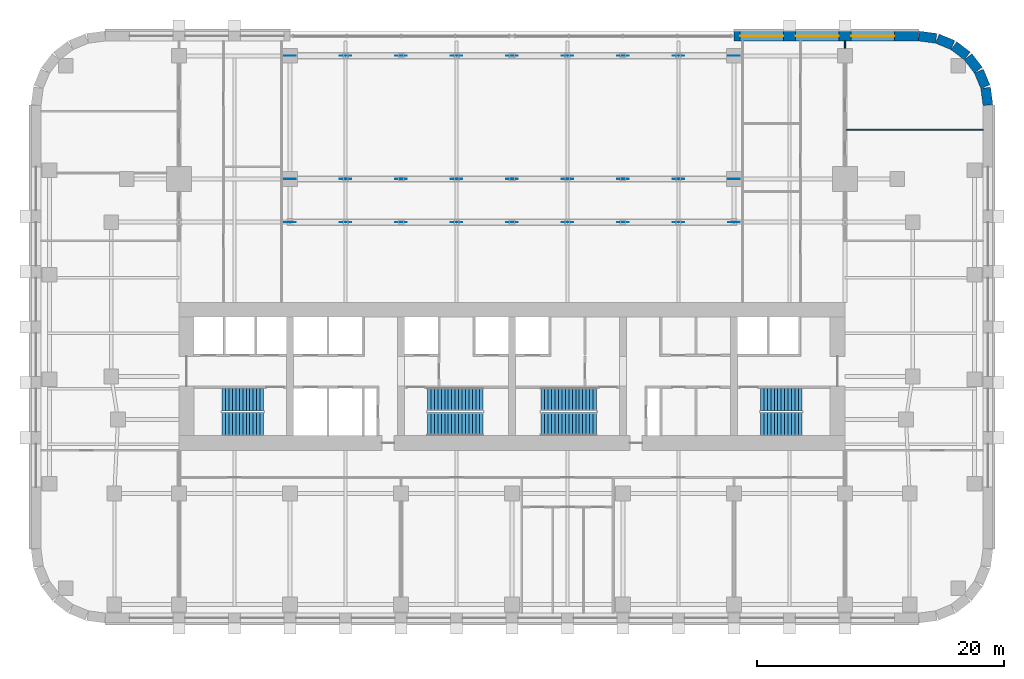
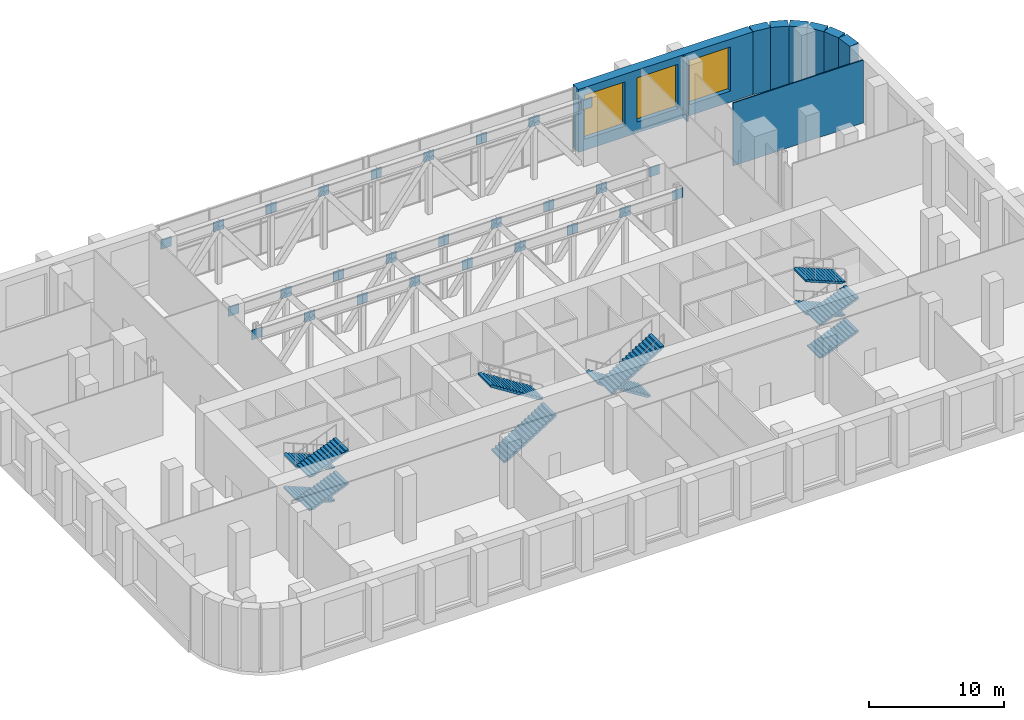
# One storey, part 9 of 13: 27 discrete accessories, 12 stair flights, 9 walls, 3 windows, 3 openings, 4 elements without a shape of their own.
"""IFC4 building model written with IfcOpenShell, lengths in metres."""

from ifc_helpers import new_model, si_unit, direction, frame, frame_2d, origin, origin_2d, place, context, subcontext, project, spatial, polyline, rectangle, outline, extrude, material, layer, layer_set, type_object, element, fill, aggregate, save


model = new_model("IFC4")

# Units and contexts
model_context = context("Model", 3, precision=1e-05, world=origin(), true_north=direction((0.0, 1.0)))
body_context = subcontext(model_context, "Body", "Model", "MODEL_VIEW")
ifc_project = project(units=[si_unit("LENGTHUNIT", "METRE"), si_unit("AREAUNIT", "SQUARE_METRE"), si_unit("VOLUMEUNIT", "CUBIC_METRE"), si_unit("PLANEANGLEUNIT", "RADIAN"), si_unit("MASSUNIT", "GRAM", prefix="KILO")], contexts=[model_context])

# Site, building, storey
site_placement = place(None, origin())
site = spatial("IfcSite", under=ifc_project, at=site_placement, CompositionType="ELEMENT")
building_placement = place(site_placement, origin())
building = spatial("IfcBuilding", under=site, at=building_placement, Name="Zellij Exchange Tower", CompositionType="ELEMENT")
storey_placement = place(building_placement, frame((0.0, 0.0, 27.0)))
storey = spatial("IfcBuildingStorey", under=building, at=storey_placement, Name="L04", CompositionType="ELEMENT", Elevation=27.0)

# Walls
ifc_material_1 = material(Name="Precast concrete C40/50", Category="concrete")
ifc_layer_1 = layer(ifc_material_1, 0.800048828125)
ifc_layer_set_1 = layer_set([ifc_layer_1], Name="Precast concrete C40/50")
wall_type_1 = type_object("IfcWallType", Name="ENV-EW1 Precast stone-piered wall 800", PredefinedType="SOLIDWALL", material=ifc_layer_set_1)
wall_1_placement = place(storey_placement, frame((38.5966796875, 13.999755859375, 0.0), z_axis=(0.0, 0.0, 1.0), x_axis=(-0.130517283865, 0.99144603414, 0.0)))
element("IfcWall", 1, at=wall_1_placement, inside=storey, type_object=wall_type_1, Name="fac.L04.08", PredefinedType="SOLIDWALL", context=body_context, shape_type="SweptSolid", body=[
    extrude(rectangle(XDim=1.408447265625, YDim=0.800048828125, at=frame_2d((0.7041015625, 0.0))), origin(), (0.0, 0.0, 1.0), 5.699951171875),
])
wall_2_placement = place(storey_placement, frame((38.3857421875, 15.497314453125, 0.0), z_axis=(0.0, 0.0, 1.0), x_axis=(-0.38276009378, 0.923847774587, 0.0)))
element("IfcWall", 2, at=wall_2_placement, inside=storey, type_object=wall_type_1, Name="fac.L04.09", PredefinedType="SOLIDWALL", context=body_context, shape_type="SweptSolid", body=[
    extrude(rectangle(XDim=1.35546875, YDim=0.800048828125, at=frame_2d((0.677734375, 0.0))), origin(), (0.0, 0.0, 1.0), 5.699951171875),
])
for number, where, z_axis, x_axis, name in (
    (3, (37.814697265625, 16.840087890625, 0.0), (0.0, 0.0, 1.0), (-0.608866226366, 0.793272915452, 0.0), "fac.L04.10"),
    (4, (36.91552734375, 17.9892578125, 0.0), (0.0, 0.0, 1.0), (-0.793272915452, 0.608866226366, 0.0), "fac.L04.11"),
):
    element("IfcWall", number, at=place(storey_placement, frame(where, z_axis=z_axis, x_axis=x_axis)), inside=storey, type_object=wall_type_1, Name=name, PredefinedType="SOLIDWALL", context=body_context, shape_type="SweptSolid", body=[
        extrude(rectangle(XDim=1.355712890625, YDim=0.800048828125, at=frame_2d((0.677734375, 0.0))), origin(), (0.0, 0.0, 1.0), 5.699951171875),
    ])
wall_3_placement = place(storey_placement, frame((35.74951171875, 18.866943359375, 0.0), z_axis=(0.0, 0.0, 1.0), x_axis=(-0.923847774587, 0.38276009378, 0.0)))
element("IfcWall", 5, at=wall_3_placement, inside=storey, type_object=wall_type_1, Name="fac.L04.12", PredefinedType="SOLIDWALL", context=body_context, shape_type="SweptSolid", body=[
    extrude(rectangle(XDim=1.35546875, YDim=0.800048828125, at=frame_2d((0.677734375, 0.0))), origin(), (0.0, 0.0, 1.0), 5.699951171875),
])
wall_4_placement = place(storey_placement, frame((34.396240234375, 19.412841796875, 0.0), z_axis=(0.0, 0.0, 1.0), x_axis=(-0.99144603414, 0.130517283865, 0.0)))
element("IfcWall", 6, at=wall_4_placement, inside=storey, type_object=wall_type_1, Name="fac.L04.13", PredefinedType="SOLIDWALL", context=body_context, shape_type="SweptSolid", body=[
    extrude(rectangle(XDim=1.408447265625, YDim=0.800048828125, at=frame_2d((0.7041015625, 0.0))), origin(), (0.0, 0.0, 1.0), 5.699951171875),
])

# Wall, openings, windows
wall_5_placement = place(storey_placement, frame((32.947509765625, 19.60009765625, 0.0), z_axis=(0.0, 0.0, 1.0), x_axis=(-1.0, 0.0, 0.0)))
wall_5 = element("IfcWall", 7, at=wall_5_placement, inside=storey, type_object=wall_type_1, Name="fac.L04.14a", PredefinedType="SOLIDWALL", context=body_context, shape_type="SweptSolid", body=[
    extrude(rectangle(XDim=14.947509765625, YDim=0.800048828125, at=frame_2d((7.4736328125, 0.0))), origin(), (0.0, 0.0, 1.0), 5.699951171875),
])
opening_1_placement = place(wall_5_placement, frame((1.947509765625, 0.0, 1.0)))
opening_1 = element("IfcOpeningElement", 8, at=opening_1_placement, cuts=wall_5, Name="Opening FP.22", PredefinedType="OPENING", context=body_context, shape_type="SweptSolid", body=[
    extrude(rectangle(XDim=3.5, YDim=4.0, at=frame_2d((1.75, 2.0))), frame((0.0, 0.412109375, 0.0), z_axis=(0.0, -1.0, 0.0), x_axis=(1.0, 0.0, 0.0)), (0.0, 0.0, 1.0), 0.823974609375),
])
opening_2_placement = place(wall_5_placement, frame((6.447509765625, 0.0, 1.0)))
opening_2 = element("IfcOpeningElement", 9, at=opening_2_placement, cuts=wall_5, Name="Opening FP.24", PredefinedType="OPENING", context=body_context, shape_type="SweptSolid", body=[
    extrude(rectangle(XDim=3.5, YDim=4.0, at=frame_2d((1.75, 2.0))), frame((0.0, 0.412109375, 0.0), z_axis=(0.0, -1.0, 0.0), x_axis=(1.0, 0.0, 0.0)), (0.0, 0.0, 1.0), 0.823974609375),
])
opening_3_placement = place(wall_5_placement, frame((10.947509765625, 0.0, 1.0)))
opening_3 = element("IfcOpeningElement", 10, at=opening_3_placement, cuts=wall_5, Name="Opening FP.26", PredefinedType="OPENING", context=body_context, shape_type="SweptSolid", body=[
    extrude(rectangle(XDim=3.5, YDim=4.0, at=frame_2d((1.75, 2.0))), frame((0.0, 0.412109375, 0.0), z_axis=(0.0, -1.0, 0.0), x_axis=(1.0, 0.0, 0.0)), (0.0, 0.0, 1.0), 0.823974609375),
])
ifc_material_2 = material(Name="Aluminium frame with insulating glass", Category="aluminium")
window_type = type_object("IfcWindowType", Name="ENV-W2 Window 3500x4000", PartitioningType="SINGLE_PANEL", PredefinedType="WINDOW", material=ifc_material_2)
window_1_placement = place(opening_1_placement, origin())
window_1 = element("IfcWindow", 11, at=window_1_placement, inside=storey, type_object=window_type, Name="Window FP.22", OverallHeight=4.0, OverallWidth=3.5, PartitioningType="SINGLE_PANEL", PredefinedType="WINDOW", context=body_context, shape_type="SweptSolid", body=[
    extrude(rectangle(XDim=3.5, YDim=4.0, at=frame_2d((1.75, 2.0))), frame((0.0, 0.030029296875, 0.0), z_axis=(0.0, -1.0, 0.0), x_axis=(1.0, 0.0, 0.0)), (0.0, 0.0, 1.0), 0.06005859375),
])
fill(opening_1, window_1)
window_2_placement = place(opening_2_placement, origin())
window_2 = element("IfcWindow", 12, at=window_2_placement, inside=storey, type_object=window_type, Name="Window FP.24", OverallHeight=4.0, OverallWidth=3.5, PartitioningType="SINGLE_PANEL", PredefinedType="WINDOW", context=body_context, shape_type="SweptSolid", body=[
    extrude(rectangle(XDim=3.5, YDim=4.0, at=frame_2d((1.75, 2.0))), frame((0.0, 0.030029296875, 0.0), z_axis=(0.0, -1.0, 0.0), x_axis=(1.0, 0.0, 0.0)), (0.0, 0.0, 1.0), 0.06005859375),
])
fill(opening_2, window_2)
window_3_placement = place(opening_3_placement, origin())
window_3 = element("IfcWindow", 13, at=window_3_placement, inside=storey, type_object=window_type, Name="Window FP.26", OverallHeight=4.0, OverallWidth=3.5, PartitioningType="SINGLE_PANEL", PredefinedType="WINDOW", context=body_context, shape_type="SweptSolid", body=[
    extrude(rectangle(XDim=3.5, YDim=4.0, at=frame_2d((1.75, 2.0))), frame((0.0, 0.030029296875, 0.0), z_axis=(0.0, -1.0, 0.0), x_axis=(1.0, 0.0, 0.0)), (0.0, 0.0, 1.0), 0.06005859375),
])
fill(opening_3, window_3)

# Walls
ifc_material_3 = material(Name="Gypsum board partition on steel studs", Category="steel")
ifc_layer_2 = layer(ifc_material_3, 0.10009765625)
ifc_layer_set_2 = layer_set([ifc_layer_2], Name="Gypsum board partition on steel studs")
wall_type_2 = type_object("IfcWallType", Name="FIT-PARTITION-100", PredefinedType="PARTITIONING", material=ifc_layer_set_2)
wall_6_placement = place(storey_placement, frame((27.0, 18.60009765625, 0.0), z_axis=(0.0, 0.0, 1.0), x_axis=(0.0, 1.0, 0.0)))
element("IfcWall", 14, at=wall_6_placement, inside=storey, type_object=wall_type_2, Name="FIT-PARTITION-100 032", PredefinedType="PARTITIONING", context=body_context, shape_type="SweptSolid", body=[
    extrude(rectangle(XDim=0.599853515625, YDim=0.10009765625, at=frame_2d((0.2998046875, 0.0))), origin(), (0.0, 0.0, 1.0), 5.699951171875),
])
wall_7_placement = place(storey_placement, frame((27.050048828125, 12.0, 0.0), z_axis=(0.0, 0.0, 1.0), x_axis=(1.0, 0.0, 0.0)))
element("IfcWall", 15, at=wall_7_placement, inside=storey, type_object=wall_type_2, Name="FIT-PARTITION-100 037", PredefinedType="PARTITIONING", context=body_context, shape_type="SweptSolid", body=[
    extrude(rectangle(XDim=11.14990234375, YDim=0.10009765625, at=frame_2d((5.574951171875, 0.0))), origin(), (0.0, 0.0, 1.0), 5.699951171875),
])

# Stair, stair flights
ifc_material_4 = material(Name="Concrete C40/50", Category="concrete")
stair_type = type_object("IfcStairType", Name="CORE-ST exit stair 1850 wide", PredefinedType="HALF_TURN_STAIR", material=ifc_material_4)
stair_1_placement = place(storey_placement, origin())
stair_1 = element("IfcStair", 16, at=stair_1_placement, inside=storey, type_object=stair_type, Name="L04 exit stair ST1", PredefinedType="HALF_TURN_STAIR")
stair_flight_type_1 = type_object("IfcStairFlightType", Name="CORE-SF flight 1850 riser 115.4 going 280", PredefinedType="STRAIGHT", material=ifc_material_4)
stair_flight_1_placement = place(storey_placement, frame((-20.14990234375, -9.875, 0.0), z_axis=(0.0, 0.0, 1.0), x_axis=(-1.0, 0.0, 0.0)))
stair_flight_1 = element("IfcStairFlight", 17, at=stair_flight_1_placement, type_object=stair_flight_type_1, Name="ST1 flight 1", NumberOfRisers=13, NumberOfTreads=12, PredefinedType="STRAIGHT", RiserHeight=0.115384615, TreadLength=0.28, context=body_context, shape_type="SweptSolid", body=[
    extrude(outline(polyline([(0.0, 0.0), (0.0, 0.115478515625), (0.280029296875, 0.115478515625), (0.280029296875, 0.230712890625), (0.56005859375, 0.230712890625), (0.56005859375, 0.34619140625), (0.840087890625, 0.34619140625), (0.840087890625, 0.46142578125), (1.1201171875, 0.46142578125), (1.1201171875, 0.576904296875), (1.39990234375, 0.576904296875), (1.39990234375, 0.6923828125), (1.679931640625, 0.6923828125), (1.679931640625, 0.8076171875), (1.9599609375, 0.8076171875), (1.9599609375, 0.923095703125), (2.239990234375, 0.923095703125), (2.239990234375, 1.03857421875), (2.52001953125, 1.03857421875), (2.52001953125, 1.15380859375), (2.800048828125, 1.15380859375), (2.800048828125, 1.269287109375), (3.080078125, 1.269287109375), (3.080078125, 1.384521484375), (3.360107421875, 1.384521484375), (3.360107421875, 1.5), (3.360107421875, 1.222412109375), (0.3935546875, 0.0), (0.0, 0.0)])), frame((0.0, 0.925048828125, 0.0), z_axis=(0.0, -1.0, 0.0), x_axis=(1.0, 0.0, 0.0)), (0.0, 0.0, 1.0), 1.85009765625),
])
stair_flight_2_placement = place(storey_placement, frame((-23.510009765625, -11.875, 1.5), z_axis=(0.0, 0.0, 1.0), x_axis=(1.0, 0.0, 0.0)))
stair_flight_2 = element("IfcStairFlight", 18, at=stair_flight_2_placement, type_object=stair_flight_type_1, Name="ST1 flight 2", NumberOfRisers=13, NumberOfTreads=12, PredefinedType="STRAIGHT", RiserHeight=0.115384615, TreadLength=0.28, context=body_context, shape_type="SweptSolid", body=[
    extrude(outline(polyline([(0.0, 0.0), (0.0, 0.115478515625), (0.280029296875, 0.115478515625), (0.280029296875, 0.230712890625), (0.56005859375, 0.230712890625), (0.56005859375, 0.34619140625), (0.840087890625, 0.34619140625), (0.840087890625, 0.46142578125), (1.1201171875, 0.46142578125), (1.1201171875, 0.576904296875), (1.39990234375, 0.576904296875), (1.39990234375, 0.6923828125), (1.679931640625, 0.6923828125), (1.679931640625, 0.8076171875), (1.9599609375, 0.8076171875), (1.9599609375, 0.923095703125), (2.239990234375, 0.923095703125), (2.239990234375, 1.03857421875), (2.52001953125, 1.03857421875), (2.52001953125, 1.15380859375), (2.800048828125, 1.15380859375), (2.800048828125, 1.269287109375), (3.080078125, 1.269287109375), (3.080078125, 1.384521484375), (3.360107421875, 1.384521484375), (3.360107421875, 1.5), (3.360107421875, 1.222412109375), (0.3935546875, 0.0), (0.0, 0.0)])), frame((0.0, 0.925048828125, 0.0), z_axis=(0.0, -1.0, 0.0), x_axis=(1.0, 0.0, 0.0)), (0.0, 0.0, 1.0), 1.85009765625),
])
stair_flight_3_placement = place(storey_placement, frame((-20.14990234375, -9.875, 3.0), z_axis=(0.0, 0.0, 1.0), x_axis=(-1.0, 0.0, 0.0)))
stair_flight_3 = element("IfcStairFlight", 19, at=stair_flight_3_placement, type_object=stair_flight_type_1, Name="ST1 flight 3", NumberOfRisers=13, NumberOfTreads=12, PredefinedType="STRAIGHT", RiserHeight=0.115384615, TreadLength=0.28, context=body_context, shape_type="SweptSolid", body=[
    extrude(outline(polyline([(0.0, 0.0), (0.0, 0.115478515625), (0.280029296875, 0.115478515625), (0.280029296875, 0.230712890625), (0.56005859375, 0.230712890625), (0.56005859375, 0.34619140625), (0.840087890625, 0.34619140625), (0.840087890625, 0.46142578125), (1.1201171875, 0.46142578125), (1.1201171875, 0.576904296875), (1.39990234375, 0.576904296875), (1.39990234375, 0.6923828125), (1.679931640625, 0.6923828125), (1.679931640625, 0.8076171875), (1.9599609375, 0.8076171875), (1.9599609375, 0.923095703125), (2.239990234375, 0.923095703125), (2.239990234375, 1.03857421875), (2.52001953125, 1.03857421875), (2.52001953125, 1.15380859375), (2.800048828125, 1.15380859375), (2.800048828125, 1.269287109375), (3.080078125, 1.269287109375), (3.080078125, 1.384521484375), (3.360107421875, 1.384521484375), (3.360107421875, 1.5), (3.360107421875, 1.222412109375), (0.3935546875, 0.0), (0.0, 0.0)])), frame((0.0, 0.925048828125, 0.0), z_axis=(0.0, -1.0, 0.0), x_axis=(1.0, 0.0, 0.0)), (0.0, 0.0, 1.0), 1.85009765625),
])
stair_flight_4_placement = place(storey_placement, frame((-23.510009765625, -11.875, 4.5), z_axis=(0.0, 0.0, 1.0), x_axis=(1.0, 0.0, 0.0)))
stair_flight_4 = element("IfcStairFlight", 20, at=stair_flight_4_placement, type_object=stair_flight_type_1, Name="ST1 flight 4", NumberOfRisers=13, NumberOfTreads=12, PredefinedType="STRAIGHT", RiserHeight=0.115384615, TreadLength=0.28, context=body_context, shape_type="SweptSolid", body=[
    extrude(outline(polyline([(0.0, 0.0), (0.0, 0.115478515625), (0.280029296875, 0.115478515625), (0.280029296875, 0.230712890625), (0.56005859375, 0.230712890625), (0.56005859375, 0.34619140625), (0.840087890625, 0.34619140625), (0.840087890625, 0.46142578125), (1.1201171875, 0.46142578125), (1.1201171875, 0.576904296875), (1.39990234375, 0.576904296875), (1.39990234375, 0.6923828125), (1.679931640625, 0.6923828125), (1.679931640625, 0.8076171875), (1.9599609375, 0.8076171875), (1.9599609375, 0.923095703125), (2.239990234375, 0.923095703125), (2.239990234375, 1.03857421875), (2.52001953125, 1.03857421875), (2.52001953125, 1.15380859375), (2.800048828125, 1.15380859375), (2.800048828125, 1.269287109375), (3.080078125, 1.269287109375), (3.080078125, 1.384521484375), (3.360107421875, 1.384521484375), (3.360107421875, 1.5), (3.360107421875, 1.222412109375), (0.3935546875, 0.0), (0.0, 0.0)])), frame((0.0, 0.925048828125, 0.0), z_axis=(0.0, -1.0, 0.0), x_axis=(1.0, 0.0, 0.0)), (0.0, 0.0, 1.0), 1.85009765625),
])
aggregate(stair_1, [stair_flight_1, stair_flight_2, stair_flight_3, stair_flight_4])

stair_2_placement = place(storey_placement, origin())
stair_2 = element("IfcStair", 21, at=stair_2_placement, inside=storey, type_object=stair_type, Name="L04 exit stair ST4", PredefinedType="HALF_TURN_STAIR")
stair_flight_5_placement = place(storey_placement, frame((20.14990234375, -11.875, 0.0), z_axis=(0.0, 0.0, 1.0), x_axis=(1.0, 0.0, 0.0)))
stair_flight_5 = element("IfcStairFlight", 22, at=stair_flight_5_placement, type_object=stair_flight_type_1, Name="ST4 flight 1", NumberOfRisers=13, NumberOfTreads=12, PredefinedType="STRAIGHT", RiserHeight=0.115384615, TreadLength=0.28, context=body_context, shape_type="SweptSolid", body=[
    extrude(outline(polyline([(0.0, 0.0), (0.0, 0.115478515625), (0.280029296875, 0.115478515625), (0.280029296875, 0.230712890625), (0.56005859375, 0.230712890625), (0.56005859375, 0.34619140625), (0.840087890625, 0.34619140625), (0.840087890625, 0.46142578125), (1.1201171875, 0.46142578125), (1.1201171875, 0.576904296875), (1.39990234375, 0.576904296875), (1.39990234375, 0.6923828125), (1.679931640625, 0.6923828125), (1.679931640625, 0.8076171875), (1.9599609375, 0.8076171875), (1.9599609375, 0.923095703125), (2.239990234375, 0.923095703125), (2.239990234375, 1.03857421875), (2.52001953125, 1.03857421875), (2.52001953125, 1.15380859375), (2.800048828125, 1.15380859375), (2.800048828125, 1.269287109375), (3.080078125, 1.269287109375), (3.080078125, 1.384521484375), (3.360107421875, 1.384521484375), (3.360107421875, 1.5), (3.360107421875, 1.222412109375), (0.3935546875, 0.0), (0.0, 0.0)])), frame((0.0, 0.925048828125, 0.0), z_axis=(0.0, -1.0, 0.0), x_axis=(1.0, 0.0, 0.0)), (0.0, 0.0, 1.0), 1.85009765625),
])
stair_flight_6_placement = place(storey_placement, frame((23.510009765625, -9.875, 1.5), z_axis=(0.0, 0.0, 1.0), x_axis=(-1.0, 0.0, 0.0)))
stair_flight_6 = element("IfcStairFlight", 23, at=stair_flight_6_placement, type_object=stair_flight_type_1, Name="ST4 flight 2", NumberOfRisers=13, NumberOfTreads=12, PredefinedType="STRAIGHT", RiserHeight=0.115384615, TreadLength=0.28, context=body_context, shape_type="SweptSolid", body=[
    extrude(outline(polyline([(0.0, 0.0), (0.0, 0.115478515625), (0.280029296875, 0.115478515625), (0.280029296875, 0.230712890625), (0.56005859375, 0.230712890625), (0.56005859375, 0.34619140625), (0.840087890625, 0.34619140625), (0.840087890625, 0.46142578125), (1.1201171875, 0.46142578125), (1.1201171875, 0.576904296875), (1.39990234375, 0.576904296875), (1.39990234375, 0.6923828125), (1.679931640625, 0.6923828125), (1.679931640625, 0.8076171875), (1.9599609375, 0.8076171875), (1.9599609375, 0.923095703125), (2.239990234375, 0.923095703125), (2.239990234375, 1.03857421875), (2.52001953125, 1.03857421875), (2.52001953125, 1.15380859375), (2.800048828125, 1.15380859375), (2.800048828125, 1.269287109375), (3.080078125, 1.269287109375), (3.080078125, 1.384521484375), (3.360107421875, 1.384521484375), (3.360107421875, 1.5), (3.360107421875, 1.222412109375), (0.3935546875, 0.0), (0.0, 0.0)])), frame((0.0, 0.925048828125, 0.0), z_axis=(0.0, -1.0, 0.0), x_axis=(1.0, 0.0, 0.0)), (0.0, 0.0, 1.0), 1.85009765625),
])
stair_flight_7_placement = place(storey_placement, frame((20.14990234375, -11.875, 3.0), z_axis=(0.0, 0.0, 1.0), x_axis=(1.0, 0.0, 0.0)))
stair_flight_7 = element("IfcStairFlight", 24, at=stair_flight_7_placement, type_object=stair_flight_type_1, Name="ST4 flight 3", NumberOfRisers=13, NumberOfTreads=12, PredefinedType="STRAIGHT", RiserHeight=0.115384615, TreadLength=0.28, context=body_context, shape_type="SweptSolid", body=[
    extrude(outline(polyline([(0.0, 0.0), (0.0, 0.115478515625), (0.280029296875, 0.115478515625), (0.280029296875, 0.230712890625), (0.56005859375, 0.230712890625), (0.56005859375, 0.34619140625), (0.840087890625, 0.34619140625), (0.840087890625, 0.46142578125), (1.1201171875, 0.46142578125), (1.1201171875, 0.576904296875), (1.39990234375, 0.576904296875), (1.39990234375, 0.6923828125), (1.679931640625, 0.6923828125), (1.679931640625, 0.8076171875), (1.9599609375, 0.8076171875), (1.9599609375, 0.923095703125), (2.239990234375, 0.923095703125), (2.239990234375, 1.03857421875), (2.52001953125, 1.03857421875), (2.52001953125, 1.15380859375), (2.800048828125, 1.15380859375), (2.800048828125, 1.269287109375), (3.080078125, 1.269287109375), (3.080078125, 1.384521484375), (3.360107421875, 1.384521484375), (3.360107421875, 1.5), (3.360107421875, 1.222412109375), (0.3935546875, 0.0), (0.0, 0.0)])), frame((0.0, 0.925048828125, 0.0), z_axis=(0.0, -1.0, 0.0), x_axis=(1.0, 0.0, 0.0)), (0.0, 0.0, 1.0), 1.85009765625),
])
stair_flight_8_placement = place(storey_placement, frame((23.510009765625, -9.875, 4.5), z_axis=(0.0, 0.0, 1.0), x_axis=(-1.0, 0.0, 0.0)))
stair_flight_8 = element("IfcStairFlight", 25, at=stair_flight_8_placement, type_object=stair_flight_type_1, Name="ST4 flight 4", NumberOfRisers=13, NumberOfTreads=12, PredefinedType="STRAIGHT", RiserHeight=0.115384615, TreadLength=0.28, context=body_context, shape_type="SweptSolid", body=[
    extrude(outline(polyline([(0.0, 0.0), (0.0, 0.115478515625), (0.280029296875, 0.115478515625), (0.280029296875, 0.230712890625), (0.56005859375, 0.230712890625), (0.56005859375, 0.34619140625), (0.840087890625, 0.34619140625), (0.840087890625, 0.46142578125), (1.1201171875, 0.46142578125), (1.1201171875, 0.576904296875), (1.39990234375, 0.576904296875), (1.39990234375, 0.6923828125), (1.679931640625, 0.6923828125), (1.679931640625, 0.8076171875), (1.9599609375, 0.8076171875), (1.9599609375, 0.923095703125), (2.239990234375, 0.923095703125), (2.239990234375, 1.03857421875), (2.52001953125, 1.03857421875), (2.52001953125, 1.15380859375), (2.800048828125, 1.15380859375), (2.800048828125, 1.269287109375), (3.080078125, 1.269287109375), (3.080078125, 1.384521484375), (3.360107421875, 1.384521484375), (3.360107421875, 1.5), (3.360107421875, 1.222412109375), (0.3935546875, 0.0), (0.0, 0.0)])), frame((0.0, 0.925048828125, 0.0), z_axis=(0.0, -1.0, 0.0), x_axis=(1.0, 0.0, 0.0)), (0.0, 0.0, 1.0), 1.85009765625),
])
aggregate(stair_2, [stair_flight_5, stair_flight_6, stair_flight_7, stair_flight_8])

stair_3_placement = place(storey_placement, origin())
stair_3 = element("IfcStair", 26, at=stair_3_placement, inside=storey, type_object=stair_type, Name="L04 exit stair ST2", PredefinedType="HALF_TURN_STAIR")
stair_flight_type_2 = type_object("IfcStairFlightType", Name="CORE-SF flight 1850 riser 176.5 going 280", PredefinedType="STRAIGHT", material=ifc_material_4)
stair_flight_9_placement = place(storey_placement, frame((-6.85009765625, -11.875, 0.0), z_axis=(0.0, 0.0, 1.0), x_axis=(1.0, 0.0, 0.0)))
stair_flight_9 = element("IfcStairFlight", 27, at=stair_flight_9_placement, type_object=stair_flight_type_2, Name="ST2 flight 1", NumberOfRisers=17, NumberOfTreads=16, PredefinedType="STRAIGHT", RiserHeight=0.176470588, TreadLength=0.28, context=body_context, shape_type="SweptSolid", body=[
    extrude(outline(polyline([(0.0, 0.0), (0.0, 0.176513671875), (0.280029296875, 0.176513671875), (0.280029296875, 0.35302734375), (0.56005859375, 0.35302734375), (0.56005859375, 0.529296875), (0.840087890625, 0.529296875), (0.840087890625, 0.705810546875), (1.1201171875, 0.705810546875), (1.1201171875, 0.88232421875), (1.39990234375, 0.88232421875), (1.39990234375, 1.058837890625), (1.679931640625, 1.058837890625), (1.679931640625, 1.2353515625), (1.9599609375, 1.2353515625), (1.9599609375, 1.411865234375), (2.239990234375, 1.411865234375), (2.239990234375, 1.588134765625), (2.52001953125, 1.588134765625), (2.52001953125, 1.7646484375), (2.800048828125, 1.7646484375), (2.800048828125, 1.941162109375), (3.080078125, 1.941162109375), (3.080078125, 2.11767578125), (3.360107421875, 2.11767578125), (3.360107421875, 2.294189453125), (3.639892578125, 2.294189453125), (3.639892578125, 2.470703125), (3.919921875, 2.470703125), (3.919921875, 2.64697265625), (4.199951171875, 2.64697265625), (4.199951171875, 2.823486328125), (4.47998046875, 2.823486328125), (4.47998046875, 3.0), (4.47998046875, 2.646240234375), (0.28125, 0.0), (0.0, 0.0)])), frame((0.0, 0.925048828125, 0.0), z_axis=(0.0, -1.0, 0.0), x_axis=(1.0, 0.0, 0.0)), (0.0, 0.0, 1.0), 1.85009765625),
])
stair_flight_10_placement = place(storey_placement, frame((-2.3701171875, -9.875, 3.0), z_axis=(0.0, 0.0, 1.0), x_axis=(-1.0, 0.0, 0.0)))
stair_flight_10 = element("IfcStairFlight", 28, at=stair_flight_10_placement, type_object=stair_flight_type_2, Name="ST2 flight 2", NumberOfRisers=17, NumberOfTreads=16, PredefinedType="STRAIGHT", RiserHeight=0.176470588, TreadLength=0.28, context=body_context, shape_type="SweptSolid", body=[
    extrude(outline(polyline([(0.0, 0.0), (0.0, 0.176513671875), (0.280029296875, 0.176513671875), (0.280029296875, 0.35302734375), (0.56005859375, 0.35302734375), (0.56005859375, 0.529296875), (0.840087890625, 0.529296875), (0.840087890625, 0.705810546875), (1.1201171875, 0.705810546875), (1.1201171875, 0.88232421875), (1.39990234375, 0.88232421875), (1.39990234375, 1.058837890625), (1.679931640625, 1.058837890625), (1.679931640625, 1.2353515625), (1.9599609375, 1.2353515625), (1.9599609375, 1.411865234375), (2.239990234375, 1.411865234375), (2.239990234375, 1.588134765625), (2.52001953125, 1.588134765625), (2.52001953125, 1.7646484375), (2.800048828125, 1.7646484375), (2.800048828125, 1.941162109375), (3.080078125, 1.941162109375), (3.080078125, 2.11767578125), (3.360107421875, 2.11767578125), (3.360107421875, 2.294189453125), (3.639892578125, 2.294189453125), (3.639892578125, 2.470703125), (3.919921875, 2.470703125), (3.919921875, 2.64697265625), (4.199951171875, 2.64697265625), (4.199951171875, 2.823486328125), (4.47998046875, 2.823486328125), (4.47998046875, 3.0), (4.47998046875, 2.646240234375), (0.28125, 0.0), (0.0, 0.0)])), frame((0.0, 0.925048828125, 0.0), z_axis=(0.0, -1.0, 0.0), x_axis=(1.0, 0.0, 0.0)), (0.0, 0.0, 1.0), 1.85009765625),
])
aggregate(stair_3, [stair_flight_9, stair_flight_10])

stair_4_placement = place(storey_placement, origin())
stair_4 = element("IfcStair", 29, at=stair_4_placement, inside=storey, type_object=stair_type, Name="L04 exit stair ST3", PredefinedType="HALF_TURN_STAIR")
stair_flight_11_placement = place(storey_placement, frame((6.85009765625, -9.875, 0.0), z_axis=(0.0, 0.0, 1.0), x_axis=(-1.0, 0.0, 0.0)))
stair_flight_11 = element("IfcStairFlight", 30, at=stair_flight_11_placement, type_object=stair_flight_type_2, Name="ST3 flight 1", NumberOfRisers=17, NumberOfTreads=16, PredefinedType="STRAIGHT", RiserHeight=0.176470588, TreadLength=0.28, context=body_context, shape_type="SweptSolid", body=[
    extrude(outline(polyline([(0.0, 0.0), (0.0, 0.176513671875), (0.280029296875, 0.176513671875), (0.280029296875, 0.35302734375), (0.56005859375, 0.35302734375), (0.56005859375, 0.529296875), (0.840087890625, 0.529296875), (0.840087890625, 0.705810546875), (1.1201171875, 0.705810546875), (1.1201171875, 0.88232421875), (1.39990234375, 0.88232421875), (1.39990234375, 1.058837890625), (1.679931640625, 1.058837890625), (1.679931640625, 1.2353515625), (1.9599609375, 1.2353515625), (1.9599609375, 1.411865234375), (2.239990234375, 1.411865234375), (2.239990234375, 1.588134765625), (2.52001953125, 1.588134765625), (2.52001953125, 1.7646484375), (2.800048828125, 1.7646484375), (2.800048828125, 1.941162109375), (3.080078125, 1.941162109375), (3.080078125, 2.11767578125), (3.360107421875, 2.11767578125), (3.360107421875, 2.294189453125), (3.639892578125, 2.294189453125), (3.639892578125, 2.470703125), (3.919921875, 2.470703125), (3.919921875, 2.64697265625), (4.199951171875, 2.64697265625), (4.199951171875, 2.823486328125), (4.47998046875, 2.823486328125), (4.47998046875, 3.0), (4.47998046875, 2.646240234375), (0.28125, 0.0), (0.0, 0.0)])), frame((0.0, 0.925048828125, 0.0), z_axis=(0.0, -1.0, 0.0), x_axis=(1.0, 0.0, 0.0)), (0.0, 0.0, 1.0), 1.85009765625),
])
stair_flight_12_placement = place(storey_placement, frame((2.3701171875, -11.875, 3.0), z_axis=(0.0, 0.0, 1.0), x_axis=(1.0, 0.0, 0.0)))
stair_flight_12 = element("IfcStairFlight", 31, at=stair_flight_12_placement, type_object=stair_flight_type_2, Name="ST3 flight 2", NumberOfRisers=17, NumberOfTreads=16, PredefinedType="STRAIGHT", RiserHeight=0.176470588, TreadLength=0.28, context=body_context, shape_type="SweptSolid", body=[
    extrude(outline(polyline([(0.0, 0.0), (0.0, 0.176513671875), (0.280029296875, 0.176513671875), (0.280029296875, 0.35302734375), (0.56005859375, 0.35302734375), (0.56005859375, 0.529296875), (0.840087890625, 0.529296875), (0.840087890625, 0.705810546875), (1.1201171875, 0.705810546875), (1.1201171875, 0.88232421875), (1.39990234375, 0.88232421875), (1.39990234375, 1.058837890625), (1.679931640625, 1.058837890625), (1.679931640625, 1.2353515625), (1.9599609375, 1.2353515625), (1.9599609375, 1.411865234375), (2.239990234375, 1.411865234375), (2.239990234375, 1.588134765625), (2.52001953125, 1.588134765625), (2.52001953125, 1.7646484375), (2.800048828125, 1.7646484375), (2.800048828125, 1.941162109375), (3.080078125, 1.941162109375), (3.080078125, 2.11767578125), (3.360107421875, 2.11767578125), (3.360107421875, 2.294189453125), (3.639892578125, 2.294189453125), (3.639892578125, 2.470703125), (3.919921875, 2.470703125), (3.919921875, 2.64697265625), (4.199951171875, 2.64697265625), (4.199951171875, 2.823486328125), (4.47998046875, 2.823486328125), (4.47998046875, 3.0), (4.47998046875, 2.646240234375), (0.28125, 0.0), (0.0, 0.0)])), frame((0.0, 0.925048828125, 0.0), z_axis=(0.0, -1.0, 0.0), x_axis=(1.0, 0.0, 0.0)), (0.0, 0.0, 1.0), 1.85009765625),
])
aggregate(stair_4, [stair_flight_11, stair_flight_12])

# Discrete accessories
for number, where, z_axis, x_axis, name in (
    (32, (-13.5, 4.5, 4.703857421875), (0.0, 0.0, 1.0), (1.0, 0.0, 0.0), "Gusset plate"),
    (33, (-4.5, 4.5, 4.703857421875), (0.0, 0.0, 1.0), (1.0, 0.0, 0.0), "Gusset plate"),
    (34, (4.5, 4.5, 4.703857421875), (0.0, 0.0, 1.0), (1.0, 0.0, 0.0), "Gusset plate"),
    (35, (13.5, 4.5, 4.703857421875), (0.0, 0.0, 1.0), (1.0, 0.0, 0.0), "Gusset plate"),
    (36, (-18.0, 4.5, 4.703857421875), (0.0, 0.0, 1.0), (1.0, 0.0, 0.0), "Gusset plate"),
    (37, (-9.0, 4.5, 4.703857421875), (0.0, 0.0, 1.0), (1.0, 0.0, 0.0), "Gusset plate"),
    (38, (0.0, 4.5, 4.703857421875), (0.0, 0.0, 1.0), (1.0, 0.0, 0.0), "Gusset plate"),
    (39, (9.0, 4.5, 4.703857421875), (0.0, 0.0, 1.0), (1.0, 0.0, 0.0), "Gusset plate"),
    (40, (18.0, 4.5, 4.703857421875), (0.0, 0.0, 1.0), (1.0, 0.0, 0.0), "Gusset plate"),
    (41, (-13.5, 8.0, 4.703857421875), (0.0, 0.0, 1.0), (1.0, 0.0, 0.0), "Gusset plate"),
    (42, (-4.5, 8.0, 4.703857421875), (0.0, 0.0, 1.0), (1.0, 0.0, 0.0), "Gusset plate"),
    (43, (4.5, 8.0, 4.703857421875), (0.0, 0.0, 1.0), (1.0, 0.0, 0.0), "Gusset plate"),
    (44, (13.5, 8.0, 4.703857421875), (0.0, 0.0, 1.0), (1.0, 0.0, 0.0), "Gusset plate"),
    (45, (-18.0, 8.0, 4.703857421875), (0.0, 0.0, 1.0), (1.0, 0.0, 0.0), "Gusset plate"),
    (46, (-9.0, 8.0, 4.703857421875), (0.0, 0.0, 1.0), (1.0, 0.0, 0.0), "Gusset plate"),
    (47, (0.0, 8.0, 4.703857421875), (0.0, 0.0, 1.0), (1.0, 0.0, 0.0), "Gusset plate"),
    (48, (9.0, 8.0, 4.703857421875), (0.0, 0.0, 1.0), (1.0, 0.0, 0.0), "Gusset plate"),
    (49, (18.0, 8.0, 4.703857421875), (0.0, 0.0, 1.0), (1.0, 0.0, 0.0), "Gusset plate"),
    (50, (-13.5, 18.0, 4.703857421875), (0.0, 0.0, 1.0), (1.0, 0.0, 0.0), "Gusset plate"),
    (51, (-4.5, 18.0, 4.703857421875), (0.0, 0.0, 1.0), (1.0, 0.0, 0.0), "Gusset plate"),
    (52, (4.5, 18.0, 4.703857421875), (0.0, 0.0, 1.0), (1.0, 0.0, 0.0), "Gusset plate"),
    (53, (13.5, 18.0, 4.703857421875), (0.0, 0.0, 1.0), (1.0, 0.0, 0.0), "Gusset plate"),
    (54, (-18.0, 18.0, 4.703857421875), (0.0, 0.0, 1.0), (1.0, 0.0, 0.0), "Gusset plate"),
    (55, (-9.0, 18.0, 4.703857421875), (0.0, 0.0, 1.0), (1.0, 0.0, 0.0), "Gusset plate"),
    (56, (0.0, 18.0, 4.703857421875), (0.0, 0.0, 1.0), (1.0, 0.0, 0.0), "Gusset plate"),
    (57, (9.0, 18.0, 4.703857421875), (0.0, 0.0, 1.0), (1.0, 0.0, 0.0), "Gusset plate"),
    (58, (18.0, 18.0, 4.703857421875), (0.0, 0.0, 1.0), (1.0, 0.0, 0.0), "Gusset plate"),
):
    element("IfcDiscreteAccessory", number, at=place(storey_placement, frame(where, z_axis=z_axis, x_axis=x_axis)), inside=storey, Name=name, PredefinedType="BRACKET", context=body_context, shape_type="SweptSolid", body=[
        extrude(rectangle(XDim=0.89990234375, YDim=0.030029296875, at=origin_2d()), origin(), (0.0, 0.0, 1.0), 0.89990234375),
    ])

save(model, "model.ifc")
